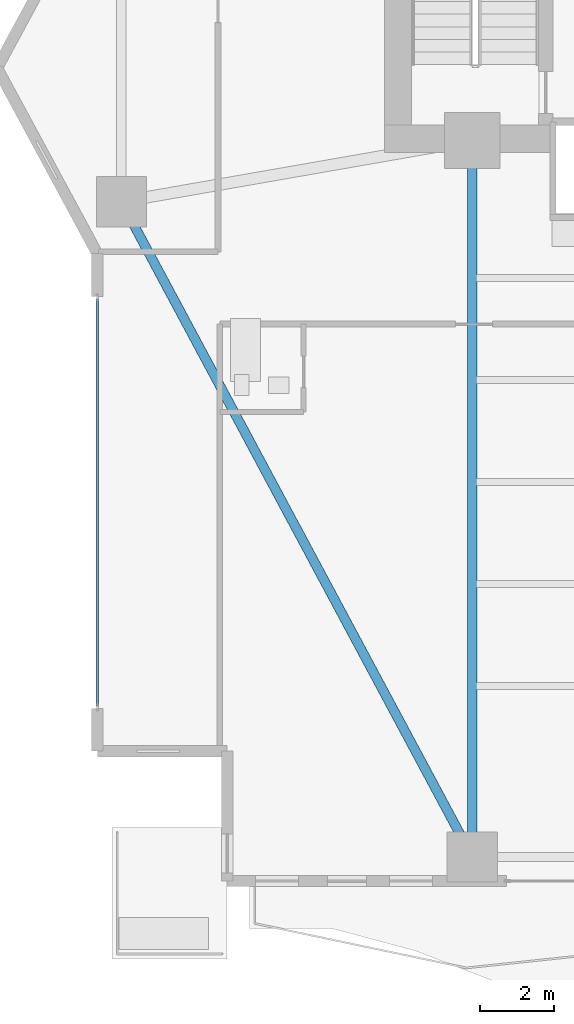
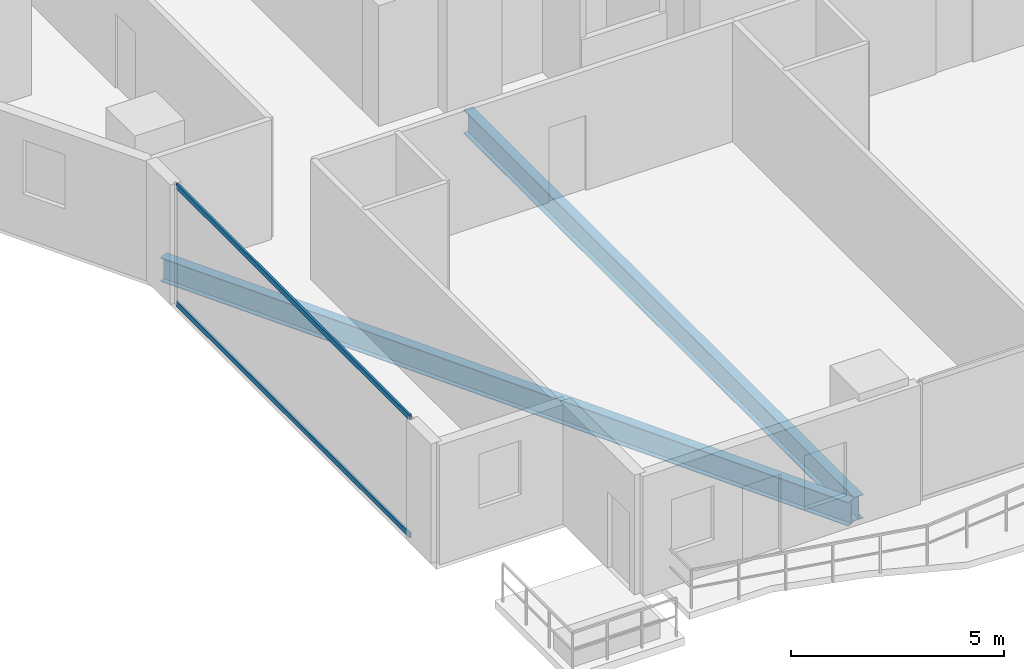
# One storey, part 3 of 28: 2 beams, 2 members, 1 element without a shape of its own.
"""IFC4 building model written with IfcOpenShell, lengths in metres."""

from ifc_helpers import new_model, si_unit, direction, frame, origin, origin_2d, place, context, subcontext, project, spatial, hollow_rectangle, i_section, extrude, material, layer, layer_set, material_profile, profile_set, type_object, element, aggregate, save


model = new_model("IFC4")

# Units and contexts
model_context = context("Model", 3, precision=1e-05, world=origin(), true_north=direction((0.0, 1.0)))
body_context = subcontext(model_context, "Body", "Model", "MODEL_VIEW")
ifc_project = project(units=[si_unit("LENGTHUNIT", "METRE"), si_unit("AREAUNIT", "SQUARE_METRE"), si_unit("VOLUMEUNIT", "CUBIC_METRE"), si_unit("PLANEANGLEUNIT", "RADIAN"), si_unit("MASSUNIT", "GRAM", prefix="KILO")], contexts=[model_context])

# Site, building, storey
site_placement = place(None, origin())
site = spatial("IfcSite", under=ifc_project, at=site_placement, CompositionType="ELEMENT")
building_placement = place(site_placement, origin())
building = spatial("IfcBuilding", under=site, at=building_placement, Name="Zuhayl Quay Hotel", CompositionType="ELEMENT")
storey_placement = place(building_placement, frame((0.0, 0.0, 121.199951171875)))
storey = spatial("IfcBuildingStorey", under=building, at=storey_placement, Name="L30", CompositionType="ELEMENT", Elevation=121.199951171875)

# Beams
ifc_material_1 = material(Name="Steel ASTM A992 Grade 50", Category="steel")
ifc_material_profile_1 = material_profile(ifc_material_1, i_section(OverallWidth=0.25390625, OverallDepth=0.68310546875, WebThickness=0.012451171875, FlangeThickness=0.018798828125, at=origin_2d()), Name="W27X94")
ifc_profile_set_1 = profile_set([ifc_material_profile_1], Name="Steel ASTM A992 Grade 50")
beam_type = type_object("IfcBeamType", Name="BM_B2_W27X94", PredefinedType="BEAM", material=ifc_profile_set_1)
beam_1_placement = place(storey_placement, frame((-23.013916015625, 2.459228515625, -0.5615234375), z_axis=(0.472017301959, -0.88158928456, 0.0), x_axis=(0.88158928456, 0.472017301959, 0.0)))
element("IfcBeam", 1, at=beam_1_placement, inside=storey, type_object=beam_type, Name="L30 Floor Beam RG_L30_12", PredefinedType="BEAM", context=body_context, shape_type="SweptSolid", body=[
    extrude(i_section(OverallWidth=0.25390625, OverallDepth=0.68310546875, WebThickness=0.012451171875, FlangeThickness=0.018798828125, at=origin_2d()), origin(), (0.0, 0.0, 1.0), 19.0205078125),
])
beam_2_placement = place(storey_placement, frame((-13.800048828125, -14.25, -0.5615234375), z_axis=(0.0, 1.0, 0.0), x_axis=(-1.0, 0.0, 0.0)))
element("IfcBeam", 2, at=beam_2_placement, inside=storey, type_object=beam_type, Name="L30 Floor Beam FG_S_L30_1", PredefinedType="BEAM", context=body_context, shape_type="SweptSolid", body=[
    extrude(i_section(OverallWidth=0.25390625, OverallDepth=0.68310546875, WebThickness=0.012451171875, FlangeThickness=0.018798828125, at=origin_2d()), origin(), (0.0, 0.0, 1.0), 18.35009765625),
])

# Curtain wall, members
ifc_material_2 = material(Name="Anodised Aluminium 6063-T6", Category="aluminium")
ifc_layer = layer(ifc_material_2, 0.179931640625, Name="Anodised Aluminium 6063-T6", Category="aluminium")
ifc_layer_set = layer_set([ifc_layer], Name="Anodised Aluminium 6063-T6")
curtain_wall_type = type_object("IfcCurtainWallType", Name="CW_SYS_Z2", PredefinedType="USERDEFINED", material=ifc_layer_set)
curtain_wall_placement = place(storey_placement, origin())
curtain_wall = element("IfcCurtainWall", 3, at=curtain_wall_placement, inside=storey, type_object=curtain_wall_type, Name="L30 Curtain Wall ENV_L30_E02_CW1", ObjectType="UNITISED CURTAIN WALL", PredefinedType="USERDEFINED")
ifc_material_3 = material(Name="Black-anodised aluminium 6063-T6", Category="aluminium")
ifc_material_profile_2 = material_profile(ifc_material_3, hollow_rectangle(XDim=0.06005859375, YDim=0.14990234375, WallThickness=0.00341796875, at=origin_2d()), Name="ALU150X60")
ifc_profile_set_2 = profile_set([ifc_material_profile_2], Name="Black-anodised aluminium 6063-T6")
member_type = type_object("IfcMemberType", Name="MB_CW_TRN_150", PredefinedType="USERDEFINED", material=ifc_profile_set_2)
member_1_placement = place(storey_placement, frame((-23.89990234375, -10.68505859375, 0.030029296875), z_axis=(0.0, 1.0, 0.0), x_axis=(-1.0, 0.0, 0.0)))
member_1 = element("IfcMember", 4, at=member_1_placement, type_object=member_type, Name="CW-Z2 transom 1.1", ObjectType="TRANSOM", PredefinedType="USERDEFINED", context=body_context, shape_type="SweptSolid", body=[
    extrude(hollow_rectangle(XDim=0.06005859375, YDim=0.14990234375, WallThickness=0.00341796875, at=origin_2d()), origin(), (0.0, 0.0, 1.0), 10.969970703125),
])
member_2_placement = place(storey_placement, frame((-23.89990234375, -10.68505859375, 3.400146484375), z_axis=(0.0, 1.0, 0.0), x_axis=(-1.0, 0.0, 0.0)))
member_2 = element("IfcMember", 5, at=member_2_placement, type_object=member_type, Name="CW-Z2 transom 1.2", ObjectType="TRANSOM", PredefinedType="USERDEFINED", context=body_context, shape_type="SweptSolid", body=[
    extrude(hollow_rectangle(XDim=0.06005859375, YDim=0.14990234375, WallThickness=0.00341796875, at=origin_2d()), origin(), (0.0, 0.0, 1.0), 10.969970703125),
])
aggregate(curtain_wall, [member_1, member_2])

save(model, "model.ifc")
